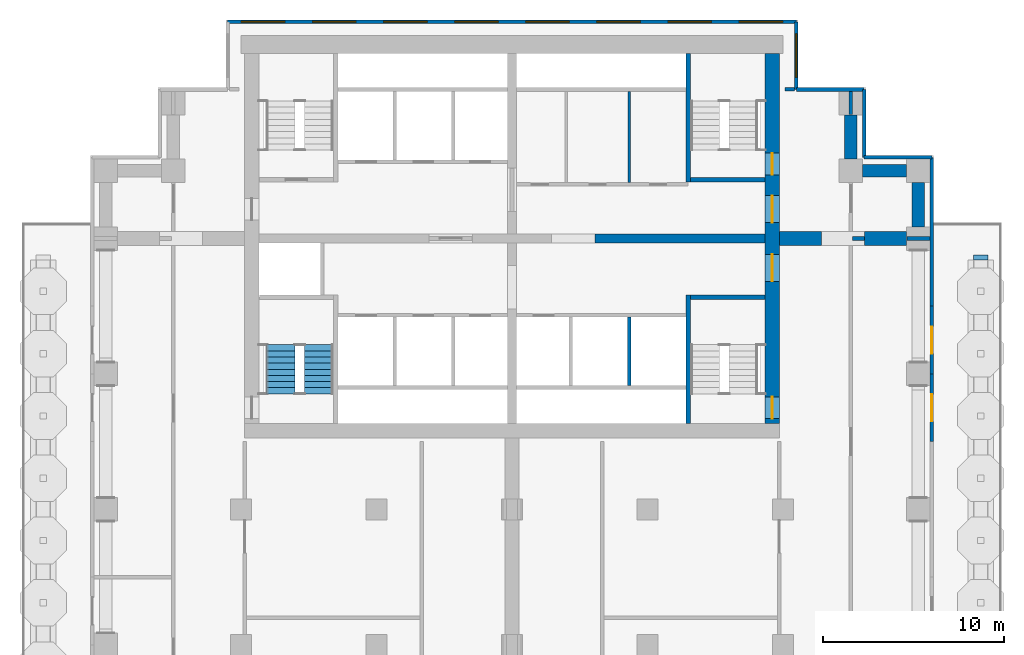
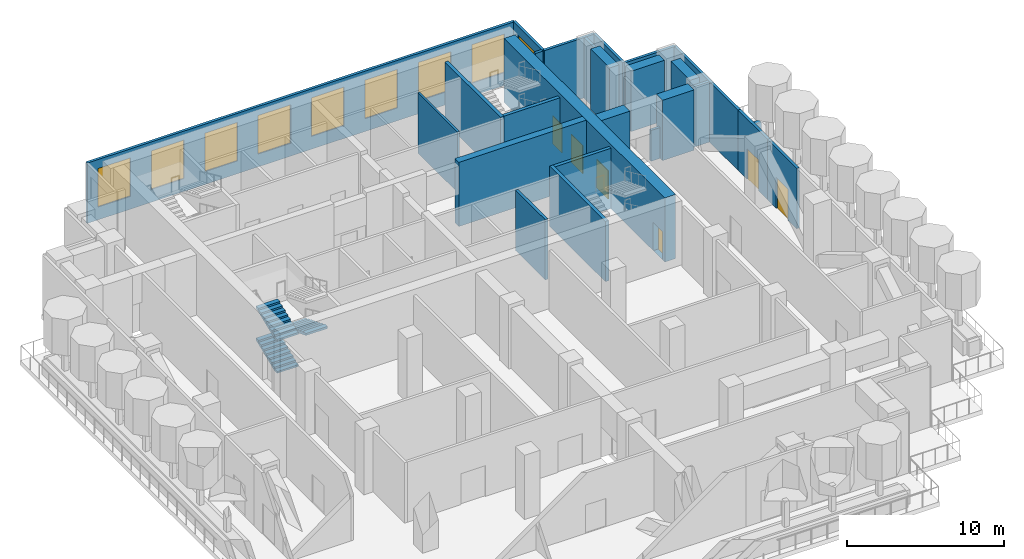
# One storey, part 5 of 9: 26 walls, 9 windows, 6 doors, 3 stair flights, 15 openings, 1 element without a shape of its own.
"""IFC4 building model written with IfcOpenShell, lengths in metres."""

from ifc_helpers import new_model, si_unit, direction, frame, frame_2d, origin, place, context, subcontext, project, spatial, polyline, rectangle, outline, extrude, material, layer, layer_set, type_object, element, fill, aggregate, save


model = new_model("IFC4")

# Units and contexts
model_context = context("Model", 3, precision=1e-05, world=origin(), true_north=direction((0.0, 1.0)))
body_context = subcontext(model_context, "Body", "Model", "MODEL_VIEW")
ifc_project = project(units=[si_unit("LENGTHUNIT", "METRE"), si_unit("AREAUNIT", "SQUARE_METRE"), si_unit("VOLUMEUNIT", "CUBIC_METRE"), si_unit("PLANEANGLEUNIT", "RADIAN"), si_unit("MASSUNIT", "GRAM", prefix="KILO")], contexts=[model_context])

# Site, building, storey
site_placement = place(None, origin())
site = spatial("IfcSite", under=ifc_project, at=site_placement, CompositionType="ELEMENT")
building_placement = place(site_placement, origin())
building = spatial("IfcBuilding", under=site, at=building_placement, Name="Pilkhan Gate Tower", CompositionType="ELEMENT")
storey_placement = place(building_placement, frame((0.0, 0.0, 102.199951171875)))
storey = spatial("IfcBuildingStorey", under=building, at=storey_placement, Name="L25", CompositionType="ELEMENT", Elevation=102.199951171875)

# Walls
ifc_material_1 = material(Name="Concrete C60/75", Category="concrete")
ifc_layer_1 = layer(ifc_material_1, 0.699951171875)
ifc_layer_set_1 = layer_set([ifc_layer_1], Name="Belt wall BW700 C60/75")
wall_type_1 = type_object("IfcWallType", Name="Belt wall BW700 C60/75", PredefinedType="SHEAR", material=ifc_layer_set_1)
for number, where, z_axis, x_axis, name in (
    (1, (93.75, 89.35009765625, 0.0), (0.0, 0.0, 1.0), (0.0, -1.0, 0.0), "Belt wall 12 L25"),
    (2, (94.39990234375, 86.25, 0.0), (0.0, 0.0, 1.0), (1.0, 0.0, 0.0), "Belt wall 13 L25"),
    (3, (97.5, 85.60009765625, 0.0), (0.0, 0.0, 1.0), (0.0, -1.0, 0.0), "Belt wall 14 L25"),
):
    element("IfcWall", number, at=place(storey_placement, frame(where, z_axis=z_axis, x_axis=x_axis)), inside=storey, type_object=wall_type_1, Name=name, PredefinedType="SHEAR", context=body_context, shape_type="SweptSolid", body=[
        extrude(rectangle(XDim=2.4501953125, YDim=0.699951171875, at=frame_2d((1.22509765625, 0.0))), origin(), (0.0, 0.0, 1.0), 4.699951171875),
    ])

# Wall, openings, doors
ifc_layer_2 = layer(ifc_material_1, 0.800048828125)
ifc_layer_set_2 = layer_set([ifc_layer_2], Name="Core wall CW800 C60/75")
wall_type_2 = type_object("IfcWallType", Name="Core wall CW800 C60/75", PredefinedType="SHEAR", material=ifc_layer_set_2)
wall_1_placement = place(storey_placement, frame((89.39990234375, 72.25, 0.0), z_axis=(0.0, 0.0, 1.0), x_axis=(0.0, 1.0, 0.0)))
wall_1 = element("IfcWall", 4, at=wall_1_placement, inside=storey, type_object=wall_type_2, Name="Core wall E L25", PredefinedType="SHEAR", context=body_context, shape_type="SweptSolid", body=[
    extrude(rectangle(XDim=20.5, YDim=0.800048828125, at=frame_2d((10.25, 0.0))), origin(), (0.0, 0.0, 1.0), 5.0),
])
opening_1_placement = place(wall_1_placement, frame((0.27490234375, 0.0, 0.0)))
opening_1 = element("IfcOpeningElement", 5, at=opening_1_placement, cuts=wall_1, Name="Opening L25-03", PredefinedType="OPENING", context=body_context, shape_type="SweptSolid", body=[
    extrude(rectangle(XDim=1.199951171875, YDim=2.199951171875, at=frame_2d((0.60009765625, 1.10009765625))), frame((0.0, 0.409912109375, 0.0), z_axis=(0.0, -1.0, 0.0), x_axis=(1.0, 0.0, 0.0)), (0.0, 0.0, 1.0), 0.820068359375),
])
opening_2_placement = place(wall_1_placement, frame((13.77490234375, 0.0, 0.0)))
opening_2 = element("IfcOpeningElement", 6, at=opening_2_placement, cuts=wall_1, Name="Opening L25-05", PredefinedType="OPENING", context=body_context, shape_type="SweptSolid", body=[
    extrude(rectangle(XDim=1.199951171875, YDim=2.199951171875, at=frame_2d((0.60009765625, 1.10009765625))), frame((0.0, 0.409912109375, 0.0), z_axis=(0.0, -1.0, 0.0), x_axis=(1.0, 0.0, 0.0)), (0.0, 0.0, 1.0), 0.820068359375),
])
opening_3_placement = place(wall_1_placement, frame((7.875, 0.0, 0.0)))
opening_3 = element("IfcOpeningElement", 7, at=opening_3_placement, cuts=wall_1, Name="Opening L25-15", PredefinedType="OPENING", context=body_context, shape_type="SweptSolid", body=[
    extrude(rectangle(XDim=1.5, YDim=2.199951171875, at=frame_2d((0.75, 1.10009765625))), frame((0.0, 0.409912109375, 0.0), z_axis=(0.0, -1.0, 0.0), x_axis=(1.0, 0.0, 0.0)), (0.0, 0.0, 1.0), 0.820068359375),
])
opening_4_placement = place(wall_1_placement, frame((11.125, 0.0, 0.0)))
opening_4 = element("IfcOpeningElement", 8, at=opening_4_placement, cuts=wall_1, Name="Opening L25-17", PredefinedType="OPENING", context=body_context, shape_type="SweptSolid", body=[
    extrude(rectangle(XDim=1.5, YDim=2.199951171875, at=frame_2d((0.75, 1.10009765625))), frame((0.0, 0.409912109375, 0.0), z_axis=(0.0, -1.0, 0.0), x_axis=(1.0, 0.0, 0.0)), (0.0, 0.0, 1.0), 0.820068359375),
])
ifc_material_2 = material(Name="Steel framed glazed door, 60 minute fire resisting", Category="steel")
door_type_1 = type_object("IfcDoorType", Name="Lobby door D09 1500x2200", OperationType="DOUBLE_DOOR_SINGLE_SWING", PredefinedType="DOOR", material=ifc_material_2)
door_1_placement = place(opening_3_placement, origin())
door_1 = element("IfcDoor", 9, at=door_1_placement, inside=storey, type_object=door_type_1, Name="Core door", OperationType="DOUBLE_DOOR_SINGLE_SWING", OverallHeight=2.199951171875, OverallWidth=1.5, PredefinedType="DOOR", context=body_context, shape_type="SweptSolid", body=[
    extrude(rectangle(XDim=1.5, YDim=2.199951171875, at=frame_2d((0.75, 1.10009765625))), frame((0.0, 0.02490234375, 0.0), z_axis=(0.0, -1.0, 0.0), x_axis=(1.0, 0.0, 0.0)), (0.0, 0.0, 1.0), 0.050048828125),
])
fill(opening_3, door_1)
door_2_placement = place(opening_4_placement, origin())
door_2 = element("IfcDoor", 10, at=door_2_placement, inside=storey, type_object=door_type_1, Name="Core door", OperationType="DOUBLE_DOOR_SINGLE_SWING", OverallHeight=2.199951171875, OverallWidth=1.5, PredefinedType="DOOR", context=body_context, shape_type="SweptSolid", body=[
    extrude(rectangle(XDim=1.5, YDim=2.199951171875, at=frame_2d((0.75, 1.10009765625))), frame((0.0, 0.02490234375, 0.0), z_axis=(0.0, -1.0, 0.0), x_axis=(1.0, 0.0, 0.0)), (0.0, 0.0, 1.0), 0.050048828125),
])
fill(opening_4, door_2)
ifc_material_3 = material(Name="Steel door, 120 minute fire resisting, panic bar", Category="steel")
door_type_2 = type_object("IfcDoorType", Name="Stair door D11 1200x2200", OperationType="SINGLE_SWING_LEFT", PredefinedType="DOOR", material=ifc_material_3)
door_3_placement = place(opening_1_placement, origin())
door_3 = element("IfcDoor", 11, at=door_3_placement, inside=storey, type_object=door_type_2, Name="Stair ST1 door", OperationType="SINGLE_SWING_RIGHT", OverallHeight=2.199951171875, OverallWidth=1.199951171875, PredefinedType="DOOR", context=body_context, shape_type="SweptSolid", body=[
    extrude(rectangle(XDim=1.199951171875, YDim=2.199951171875, at=frame_2d((0.60009765625, 1.10009765625))), frame((0.0, 0.02490234375, 0.0), z_axis=(0.0, -1.0, 0.0), x_axis=(1.0, 0.0, 0.0)), (0.0, 0.0, 1.0), 0.050048828125),
])
fill(opening_1, door_3)
door_4_placement = place(opening_2_placement, origin())
door_4 = element("IfcDoor", 12, at=door_4_placement, inside=storey, type_object=door_type_2, Name="Stair ST4 door", OperationType="SINGLE_SWING_LEFT", OverallHeight=2.199951171875, OverallWidth=1.199951171875, PredefinedType="DOOR", context=body_context, shape_type="SweptSolid", body=[
    extrude(rectangle(XDim=1.199951171875, YDim=2.199951171875, at=frame_2d((0.60009765625, 1.10009765625))), frame((0.0, 0.02490234375, 0.0), z_axis=(0.0, -1.0, 0.0), x_axis=(1.0, 0.0, 0.0)), (0.0, 0.0, 1.0), 0.050048828125),
])
fill(opening_2, door_4)

# Walls
ifc_material_4 = material(Name="Dense blockwork", Category="masonry")
ifc_layer_3 = layer(ifc_material_4, 0.199951171875)
ifc_layer_set_3 = layer_set([ifc_layer_3], Name="Corridor wall FW200")
wall_type_3 = type_object("IfcWallType", Name="Corridor wall FW200", PredefinedType="PARTITIONING", material=ifc_layer_set_3)
wall_2_placement = place(storey_placement, frame((90.1201171875, 90.764892578125, 0.0), z_axis=(0.0, 0.0, 1.0), x_axis=(1.0, 0.0, 0.0)))
element("IfcWall", 13, at=wall_2_placement, inside=storey, type_object=wall_type_3, Name="Partition L25", PredefinedType="PARTITIONING", context=body_context, shape_type="SweptSolid", body=[
    extrude(rectangle(XDim=0.52490234375, YDim=0.199951171875, at=frame_2d((0.262451171875, 0.0))), origin(), (0.0, 0.0, 1.0), 4.699951171875),
])
ifc_layer_4 = layer(ifc_material_4, 0.199951171875)
ifc_layer_set_4 = layer_set([ifc_layer_4], Name="Lobby wall LW200")
wall_type_4 = type_object("IfcWallType", Name="Lobby wall LW200", PredefinedType="PARTITIONING", material=ifc_layer_set_4)
wall_3_placement = place(storey_placement, frame((93.85009765625, 82.5, 0.0), z_axis=(0.0, 0.0, 1.0), x_axis=(1.0, 0.0, 0.0)))
element("IfcWall", 14, at=wall_3_placement, inside=storey, type_object=wall_type_4, Name="Partition L25", PredefinedType="PARTITIONING", context=body_context, shape_type="SweptSolid", body=[
    extrude(rectangle(XDim=0.664794921875, YDim=0.199951171875, at=frame_2d((0.33251953125, 0.0))), origin(), (0.0, 0.0, 1.0), 2.400146484375),
])
for number, where, z_axis, x_axis, name in (
    (15, (96.860107421875, 82.5, 0.0), (0.0, 0.0, 1.0), (1.0, 0.0, 0.0), "Partition L25"),
    (16, (93.75, 89.360107421875, 0.0), (0.0, 0.0, 1.0), (0.0, 1.0, 0.0), "Partition L25"),
):
    element("IfcWall", number, at=place(storey_placement, frame(where, z_axis=z_axis, x_axis=x_axis)), inside=storey, type_object=wall_type_4, Name=name, PredefinedType="PARTITIONING", context=body_context, shape_type="SweptSolid", body=[
        extrude(rectangle(XDim=1.27978515625, YDim=0.199951171875, at=frame_2d((0.639892578125, 0.0))), origin(), (0.0, 0.0, 1.0), 4.699951171875),
    ])
ifc_layer_5 = layer(ifc_material_1, 0.800048828125)
ifc_layer_set_5 = layer_set([ifc_layer_5], Name="Outrigger wall OW800 C60/75")
wall_type_5 = type_object("IfcWallType", Name="Outrigger wall OW800 C60/75", PredefinedType="SHEAR", material=ifc_layer_set_5)
wall_4_placement = place(storey_placement, frame((89.800048828125, 82.5, 0.0), z_axis=(0.0, 0.0, 1.0), x_axis=(1.0, 0.0, 0.0)))
element("IfcWall", 17, at=wall_4_placement, inside=storey, type_object=wall_type_5, Name="Outrigger wall 1 L25", PredefinedType="SHEAR", context=body_context, shape_type="SweptSolid", body=[
    extrude(rectangle(XDim=2.324951171875, YDim=0.800048828125, at=frame_2d((1.16259765625, 0.0))), origin(), (0.0, 0.0, 1.0), 4.699951171875),
])
wall_5_placement = place(storey_placement, frame((94.52490234375, 82.5, 0.0), z_axis=(0.0, 0.0, 1.0), x_axis=(1.0, 0.0, 0.0)))
element("IfcWall", 18, at=wall_5_placement, inside=storey, type_object=wall_type_5, Name="Outrigger wall 2 L25", PredefinedType="SHEAR", context=body_context, shape_type="SweptSolid", body=[
    extrude(rectangle(XDim=2.3251953125, YDim=0.800048828125, at=frame_2d((1.16259765625, 0.0))), origin(), (0.0, 0.0, 1.0), 4.699951171875),
])
ifc_material_5 = material(Name="Blockwork partition, plastered both sides", Category="masonry")
ifc_layer_6 = layer(ifc_material_5, 0.14990234375)
ifc_layer_set_6 = layer_set([ifc_layer_6], Name="Partition PW150")
wall_type_6 = type_object("IfcWallType", Name="Partition PW150", PredefinedType="PARTITIONING", material=ifc_layer_set_6)
wall_6_placement = place(storey_placement, frame((81.5, 85.60009765625, 0.0), z_axis=(0.0, 0.0, 1.0), x_axis=(0.0, 1.0, 0.0)))
element("IfcWall", 19, at=wall_6_placement, inside=storey, type_object=wall_type_6, Name="Partition L25", PredefinedType="PARTITIONING", context=body_context, shape_type="SweptSolid", body=[
    extrude(rectangle(XDim=5.0498046875, YDim=0.14990234375, at=frame_2d((2.52490234375, 0.0))), origin(), (0.0, 0.0, 1.0), 4.699951171875),
])

# Wall, opening, door
ifc_material_6 = material(Name="Pale anodised aluminium cladding", Category="aluminium")
ifc_layer_7 = layer(ifc_material_6, 0.199951171875)
ifc_layer_set_7 = layer_set([ifc_layer_7], Name="Plant screen wall PS200")
wall_type_7 = type_object("IfcWallType", Name="Plant screen wall PS200", PredefinedType="SOLIDWALL", material=ifc_layer_set_7)
wall_7_placement = place(storey_placement, frame((98.25, 75.0, 0.0), z_axis=(0.0, 0.0, 1.0), x_axis=(0.0, -1.0, 0.0)))
wall_7 = element("IfcWall", 20, at=wall_7_placement, inside=storey, type_object=wall_type_7, Name="Infill wall L25 E", PredefinedType="SOLIDWALL", context=body_context, shape_type="SweptSolid", body=[
    extrude(rectangle(XDim=3.75, YDim=0.199951171875, at=frame_2d((1.875, 0.0))), origin(), (0.0, 0.0, 1.0), 4.699951171875),
])
opening_5_placement = place(wall_7_placement, frame((1.125, 0.0, 0.0)))
opening_5 = element("IfcOpeningElement", 21, at=opening_5_placement, cuts=wall_7, Name="Opening D5", PredefinedType="OPENING", context=body_context, shape_type="SweptSolid", body=[
    extrude(rectangle(XDim=1.5, YDim=2.39990234375, at=frame_2d((0.75, 1.199951171875))), frame((0.0, 0.10986328125, 0.0), z_axis=(0.0, -1.0, 0.0), x_axis=(1.0, 0.0, 0.0)), (0.0, 0.0, 1.0), 0.219970703125),
])
ifc_material_7 = material(Name="Pale anodised aluminium, clear glazing", Category="aluminium")
door_type_3 = type_object("IfcDoorType", Name="Terrace door D5 1500x2400", OperationType="DOUBLE_DOOR_SINGLE_SWING", PredefinedType="DOOR", material=ifc_material_7)
door_5_placement = place(opening_5_placement, origin())
door_5 = element("IfcDoor", 22, at=door_5_placement, inside=storey, type_object=door_type_3, Name="Terrace door L25", OperationType="DOUBLE_DOOR_SINGLE_SWING", OverallHeight=2.39990234375, OverallWidth=1.5, PredefinedType="DOOR", context=body_context, shape_type="SweptSolid", body=[
    extrude(rectangle(XDim=1.5, YDim=2.39990234375, at=frame_2d((0.75, 1.199951171875))), frame((0.0, 0.02490234375, 0.0), z_axis=(0.0, -1.0, 0.0), x_axis=(1.0, 0.0, 0.0)), (0.0, 0.0, 1.0), 0.050048828125),
])
fill(opening_5, door_5)

wall_8_placement = place(storey_placement, frame((98.25, 78.75, 0.0), z_axis=(0.0, 0.0, 1.0), x_axis=(0.0, -1.0, 0.0)))
wall_8 = element("IfcWall", 23, at=wall_8_placement, inside=storey, type_object=wall_type_7, Name="Infill wall L25 E", PredefinedType="SOLIDWALL", context=body_context, shape_type="SweptSolid", body=[
    extrude(rectangle(XDim=3.75, YDim=0.199951171875, at=frame_2d((1.875, 0.0))), origin(), (0.0, 0.0, 1.0), 4.699951171875),
])
opening_6_placement = place(wall_8_placement, frame((1.125, 0.0, 0.0)))
opening_6 = element("IfcOpeningElement", 24, at=opening_6_placement, cuts=wall_8, Name="Opening D5", PredefinedType="OPENING", context=body_context, shape_type="SweptSolid", body=[
    extrude(rectangle(XDim=1.5, YDim=2.39990234375, at=frame_2d((0.75, 1.199951171875))), frame((0.0, 0.10986328125, 0.0), z_axis=(0.0, -1.0, 0.0), x_axis=(1.0, 0.0, 0.0)), (0.0, 0.0, 1.0), 0.219970703125),
])
door_6_placement = place(opening_6_placement, origin())
door_6 = element("IfcDoor", 25, at=door_6_placement, inside=storey, type_object=door_type_3, Name="Terrace door L25", OperationType="DOUBLE_DOOR_SINGLE_SWING", OverallHeight=2.39990234375, OverallWidth=1.5, PredefinedType="DOOR", context=body_context, shape_type="SweptSolid", body=[
    extrude(rectangle(XDim=1.5, YDim=2.39990234375, at=frame_2d((0.75, 1.199951171875))), frame((0.0, 0.02490234375, 0.0), z_axis=(0.0, -1.0, 0.0), x_axis=(1.0, 0.0, 0.0)), (0.0, 0.0, 1.0), 0.050048828125),
])
fill(opening_6, door_6)

# Walls
wall_9_placement = place(storey_placement, frame((98.25, 78.75, 0.0), z_axis=(0.0, 0.0, 1.0), x_axis=(0.0, 1.0, 0.0)))
element("IfcWall", 26, at=wall_9_placement, inside=storey, type_object=wall_type_7, Name="Plant screen wall L25 E", PredefinedType="SOLIDWALL", context=body_context, shape_type="SweptSolid", body=[
    extrude(rectangle(XDim=8.25, YDim=0.199951171875, at=frame_2d((4.125, 0.0))), origin(), (0.0, 0.0, 1.0), 4.699951171875),
])
for number, where, z_axis, x_axis, name in (
    (27, (94.5, 87.0, 0.0), (0.0, 0.0, 1.0), (1.0, 0.0, 0.0), "Plant screen wall L25 N"),
    (28, (94.5, 87.0, 0.0), (0.0, 0.0, 1.0), (0.0, 1.0, 0.0), "Plant screen wall L25 E"),
    (29, (90.75, 90.75, 0.0), (0.0, 0.0, 1.0), (1.0, 0.0, 0.0), "Plant screen wall L25 N"),
):
    element("IfcWall", number, at=place(storey_placement, frame(where, z_axis=z_axis, x_axis=x_axis)), inside=storey, type_object=wall_type_7, Name=name, PredefinedType="SOLIDWALL", context=body_context, shape_type="SweptSolid", body=[
        extrude(rectangle(XDim=3.75, YDim=0.199951171875, at=frame_2d((1.875, 0.0))), origin(), (0.0, 0.0, 1.0), 4.699951171875),
    ])

# Wall, opening, window
wall_10_placement = place(storey_placement, frame((90.75, 90.75, 0.0), z_axis=(0.0, 0.0, 1.0), x_axis=(0.0, 1.0, 0.0)))
wall_10 = element("IfcWall", 30, at=wall_10_placement, inside=storey, type_object=wall_type_7, Name="Plant screen wall L25 E", PredefinedType="SOLIDWALL", context=body_context, shape_type="SweptSolid", body=[
    extrude(rectangle(XDim=3.75, YDim=0.199951171875, at=frame_2d((1.875, 0.0))), origin(), (0.0, 0.0, 1.0), 4.699951171875),
])
opening_7_placement = place(wall_10_placement, frame((0.675048828125, 0.0, 1.0)))
opening_7 = element("IfcOpeningElement", 31, at=opening_7_placement, cuts=wall_10, Name="Opening WL1", PredefinedType="OPENING", context=body_context, shape_type="SweptSolid", body=[
    extrude(rectangle(XDim=2.39990234375, YDim=3.0, at=frame_2d((1.199951171875, 1.5))), frame((0.0, 0.10986328125, 0.0), z_axis=(0.0, -1.0, 0.0), x_axis=(1.0, 0.0, 0.0)), (0.0, 0.0, 1.0), 0.219970703125),
])
ifc_material_8 = material(Name="Pale anodised aluminium storm louvre, bird mesh", Category="aluminium")
window_type = type_object("IfcWindowType", Name="Plant louvre WL1 2400x3000", PartitioningType="SINGLE_PANEL", PredefinedType="USERDEFINED", material=ifc_material_8)
window_1_placement = place(opening_7_placement, origin())
window_1 = element("IfcWindow", 32, at=window_1_placement, inside=storey, type_object=window_type, Name="Louvre L25", ObjectType="LOUVRE", OverallHeight=3.0, OverallWidth=2.39990234375, PartitioningType="SINGLE_PANEL", PredefinedType="USERDEFINED", context=body_context, shape_type="SweptSolid", body=[
    extrude(rectangle(XDim=2.39990234375, YDim=3.0, at=frame_2d((1.199951171875, 1.5))), frame((0.0, 0.030029296875, 0.0), z_axis=(0.0, -1.0, 0.0), x_axis=(1.0, 0.0, 0.0)), (0.0, 0.0, 1.0), 0.06005859375),
])
fill(opening_7, window_1)

# Wall, openings, windows
wall_11_placement = place(storey_placement, frame((59.25, 94.5, 0.0), z_axis=(0.0, 0.0, 1.0), x_axis=(1.0, 0.0, 0.0)))
wall_11 = element("IfcWall", 33, at=wall_11_placement, inside=storey, type_object=wall_type_7, Name="Plant screen wall L25 N", PredefinedType="SOLIDWALL", context=body_context, shape_type="SweptSolid", body=[
    extrude(rectangle(XDim=31.5, YDim=0.199951171875, at=frame_2d((15.75, 0.0))), origin(), (0.0, 0.0, 1.0), 4.699951171875),
])
opening_8_placement = place(wall_11_placement, frame((0.768798828125, 0.0, 1.0)))
opening_8 = element("IfcOpeningElement", 34, at=opening_8_placement, cuts=wall_11, Name="Opening WL1", PredefinedType="OPENING", context=body_context, shape_type="SweptSolid", body=[
    extrude(rectangle(XDim=2.39990234375, YDim=3.0, at=frame_2d((1.199951171875, 1.5))), frame((0.0, 0.10986328125, 0.0), z_axis=(0.0, -1.0, 0.0), x_axis=(1.0, 0.0, 0.0)), (0.0, 0.0, 1.0), 0.219970703125),
])
opening_9_placement = place(wall_11_placement, frame((4.706298828125, 0.0, 1.0)))
opening_9 = element("IfcOpeningElement", 35, at=opening_9_placement, cuts=wall_11, Name="Opening WL1", PredefinedType="OPENING", context=body_context, shape_type="SweptSolid", body=[
    extrude(rectangle(XDim=2.39990234375, YDim=3.0, at=frame_2d((1.199951171875, 1.5))), frame((0.0, 0.10986328125, 0.0), z_axis=(0.0, -1.0, 0.0), x_axis=(1.0, 0.0, 0.0)), (0.0, 0.0, 1.0), 0.219970703125),
])
opening_10_placement = place(wall_11_placement, frame((8.643798828125, 0.0, 1.0)))
opening_10 = element("IfcOpeningElement", 36, at=opening_10_placement, cuts=wall_11, Name="Opening WL1", PredefinedType="OPENING", context=body_context, shape_type="SweptSolid", body=[
    extrude(rectangle(XDim=2.39990234375, YDim=3.0, at=frame_2d((1.199951171875, 1.5))), frame((0.0, 0.10986328125, 0.0), z_axis=(0.0, -1.0, 0.0), x_axis=(1.0, 0.0, 0.0)), (0.0, 0.0, 1.0), 0.219970703125),
])
opening_11_placement = place(wall_11_placement, frame((12.581298828125, 0.0, 1.0)))
opening_11 = element("IfcOpeningElement", 37, at=opening_11_placement, cuts=wall_11, Name="Opening WL1", PredefinedType="OPENING", context=body_context, shape_type="SweptSolid", body=[
    extrude(rectangle(XDim=2.39990234375, YDim=3.0, at=frame_2d((1.199951171875, 1.5))), frame((0.0, 0.10986328125, 0.0), z_axis=(0.0, -1.0, 0.0), x_axis=(1.0, 0.0, 0.0)), (0.0, 0.0, 1.0), 0.219970703125),
])
opening_12_placement = place(wall_11_placement, frame((16.518798828125, 0.0, 1.0)))
opening_12 = element("IfcOpeningElement", 38, at=opening_12_placement, cuts=wall_11, Name="Opening WL1", PredefinedType="OPENING", context=body_context, shape_type="SweptSolid", body=[
    extrude(rectangle(XDim=2.39990234375, YDim=3.0, at=frame_2d((1.199951171875, 1.5))), frame((0.0, 0.10986328125, 0.0), z_axis=(0.0, -1.0, 0.0), x_axis=(1.0, 0.0, 0.0)), (0.0, 0.0, 1.0), 0.219970703125),
])
opening_13_placement = place(wall_11_placement, frame((20.456298828125, 0.0, 1.0)))
opening_13 = element("IfcOpeningElement", 39, at=opening_13_placement, cuts=wall_11, Name="Opening WL1", PredefinedType="OPENING", context=body_context, shape_type="SweptSolid", body=[
    extrude(rectangle(XDim=2.39990234375, YDim=3.0, at=frame_2d((1.199951171875, 1.5))), frame((0.0, 0.10986328125, 0.0), z_axis=(0.0, -1.0, 0.0), x_axis=(1.0, 0.0, 0.0)), (0.0, 0.0, 1.0), 0.219970703125),
])
opening_14_placement = place(wall_11_placement, frame((24.393798828125, 0.0, 1.0)))
opening_14 = element("IfcOpeningElement", 40, at=opening_14_placement, cuts=wall_11, Name="Opening WL1", PredefinedType="OPENING", context=body_context, shape_type="SweptSolid", body=[
    extrude(rectangle(XDim=2.39990234375, YDim=3.0, at=frame_2d((1.199951171875, 1.5))), frame((0.0, 0.10986328125, 0.0), z_axis=(0.0, -1.0, 0.0), x_axis=(1.0, 0.0, 0.0)), (0.0, 0.0, 1.0), 0.219970703125),
])
opening_15_placement = place(wall_11_placement, frame((28.331298828125, 0.0, 1.0)))
opening_15 = element("IfcOpeningElement", 41, at=opening_15_placement, cuts=wall_11, Name="Opening WL1", PredefinedType="OPENING", context=body_context, shape_type="SweptSolid", body=[
    extrude(rectangle(XDim=2.39990234375, YDim=3.0, at=frame_2d((1.199951171875, 1.5))), frame((0.0, 0.10986328125, 0.0), z_axis=(0.0, -1.0, 0.0), x_axis=(1.0, 0.0, 0.0)), (0.0, 0.0, 1.0), 0.219970703125),
])
window_2_placement = place(opening_8_placement, origin())
window_2 = element("IfcWindow", 42, at=window_2_placement, inside=storey, type_object=window_type, Name="Louvre L25", ObjectType="LOUVRE", OverallHeight=3.0, OverallWidth=2.39990234375, PartitioningType="SINGLE_PANEL", PredefinedType="USERDEFINED", context=body_context, shape_type="SweptSolid", body=[
    extrude(rectangle(XDim=2.39990234375, YDim=3.0, at=frame_2d((1.199951171875, 1.5))), frame((0.0, 0.030029296875, 0.0), z_axis=(0.0, -1.0, 0.0), x_axis=(1.0, 0.0, 0.0)), (0.0, 0.0, 1.0), 0.06005859375),
])
fill(opening_8, window_2)
window_3_placement = place(opening_9_placement, origin())
window_3 = element("IfcWindow", 43, at=window_3_placement, inside=storey, type_object=window_type, Name="Louvre L25", ObjectType="LOUVRE", OverallHeight=3.0, OverallWidth=2.39990234375, PartitioningType="SINGLE_PANEL", PredefinedType="USERDEFINED", context=body_context, shape_type="SweptSolid", body=[
    extrude(rectangle(XDim=2.39990234375, YDim=3.0, at=frame_2d((1.199951171875, 1.5))), frame((0.0, 0.030029296875, 0.0), z_axis=(0.0, -1.0, 0.0), x_axis=(1.0, 0.0, 0.0)), (0.0, 0.0, 1.0), 0.06005859375),
])
fill(opening_9, window_3)
window_4_placement = place(opening_10_placement, origin())
window_4 = element("IfcWindow", 44, at=window_4_placement, inside=storey, type_object=window_type, Name="Louvre L25", ObjectType="LOUVRE", OverallHeight=3.0, OverallWidth=2.39990234375, PartitioningType="SINGLE_PANEL", PredefinedType="USERDEFINED", context=body_context, shape_type="SweptSolid", body=[
    extrude(rectangle(XDim=2.39990234375, YDim=3.0, at=frame_2d((1.199951171875, 1.5))), frame((0.0, 0.030029296875, 0.0), z_axis=(0.0, -1.0, 0.0), x_axis=(1.0, 0.0, 0.0)), (0.0, 0.0, 1.0), 0.06005859375),
])
fill(opening_10, window_4)
window_5_placement = place(opening_11_placement, origin())
window_5 = element("IfcWindow", 45, at=window_5_placement, inside=storey, type_object=window_type, Name="Louvre L25", ObjectType="LOUVRE", OverallHeight=3.0, OverallWidth=2.39990234375, PartitioningType="SINGLE_PANEL", PredefinedType="USERDEFINED", context=body_context, shape_type="SweptSolid", body=[
    extrude(rectangle(XDim=2.39990234375, YDim=3.0, at=frame_2d((1.199951171875, 1.5))), frame((0.0, 0.030029296875, 0.0), z_axis=(0.0, -1.0, 0.0), x_axis=(1.0, 0.0, 0.0)), (0.0, 0.0, 1.0), 0.06005859375),
])
fill(opening_11, window_5)
window_6_placement = place(opening_12_placement, origin())
window_6 = element("IfcWindow", 46, at=window_6_placement, inside=storey, type_object=window_type, Name="Louvre L25", ObjectType="LOUVRE", OverallHeight=3.0, OverallWidth=2.39990234375, PartitioningType="SINGLE_PANEL", PredefinedType="USERDEFINED", context=body_context, shape_type="SweptSolid", body=[
    extrude(rectangle(XDim=2.39990234375, YDim=3.0, at=frame_2d((1.199951171875, 1.5))), frame((0.0, 0.030029296875, 0.0), z_axis=(0.0, -1.0, 0.0), x_axis=(1.0, 0.0, 0.0)), (0.0, 0.0, 1.0), 0.06005859375),
])
fill(opening_12, window_6)
window_7_placement = place(opening_13_placement, origin())
window_7 = element("IfcWindow", 47, at=window_7_placement, inside=storey, type_object=window_type, Name="Louvre L25", ObjectType="LOUVRE", OverallHeight=3.0, OverallWidth=2.39990234375, PartitioningType="SINGLE_PANEL", PredefinedType="USERDEFINED", context=body_context, shape_type="SweptSolid", body=[
    extrude(rectangle(XDim=2.39990234375, YDim=3.0, at=frame_2d((1.199951171875, 1.5))), frame((0.0, 0.030029296875, 0.0), z_axis=(0.0, -1.0, 0.0), x_axis=(1.0, 0.0, 0.0)), (0.0, 0.0, 1.0), 0.06005859375),
])
fill(opening_13, window_7)
window_8_placement = place(opening_14_placement, origin())
window_8 = element("IfcWindow", 48, at=window_8_placement, inside=storey, type_object=window_type, Name="Louvre L25", ObjectType="LOUVRE", OverallHeight=3.0, OverallWidth=2.39990234375, PartitioningType="SINGLE_PANEL", PredefinedType="USERDEFINED", context=body_context, shape_type="SweptSolid", body=[
    extrude(rectangle(XDim=2.39990234375, YDim=3.0, at=frame_2d((1.199951171875, 1.5))), frame((0.0, 0.030029296875, 0.0), z_axis=(0.0, -1.0, 0.0), x_axis=(1.0, 0.0, 0.0)), (0.0, 0.0, 1.0), 0.06005859375),
])
fill(opening_14, window_8)
window_9_placement = place(opening_15_placement, origin())
window_9 = element("IfcWindow", 49, at=window_9_placement, inside=storey, type_object=window_type, Name="Louvre L25", ObjectType="LOUVRE", OverallHeight=3.0, OverallWidth=2.39990234375, PartitioningType="SINGLE_PANEL", PredefinedType="USERDEFINED", context=body_context, shape_type="SweptSolid", body=[
    extrude(rectangle(XDim=2.39990234375, YDim=3.0, at=frame_2d((1.199951171875, 1.5))), frame((0.0, 0.030029296875, 0.0), z_axis=(0.0, -1.0, 0.0), x_axis=(1.0, 0.0, 0.0)), (0.0, 0.0, 1.0), 0.06005859375),
])
fill(opening_15, window_9)

# Walls
ifc_material_9 = material(Name="Reinforced blockwork shaft wall, 120 minute fire resisting", Category="masonry")
ifc_layer_8 = layer(ifc_material_9, 0.199951171875)
ifc_layer_set_8 = layer_set([ifc_layer_8], Name="Shaft wall SW200")
wall_type_8 = type_object("IfcWallType", Name="Shaft wall SW200", PredefinedType="PARTITIONING", material=ifc_layer_set_8)
wall_12_placement = place(storey_placement, frame((81.5, 74.35009765625, 0.0), z_axis=(0.0, 0.0, 1.0), x_axis=(0.0, 1.0, 0.0)))
element("IfcWall", 50, at=wall_12_placement, inside=storey, type_object=wall_type_8, Name="Partition L25", PredefinedType="PARTITIONING", context=body_context, shape_type="SweptSolid", body=[
    extrude(rectangle(XDim=3.7998046875, YDim=0.199951171875, at=frame_2d((1.89990234375, 0.0))), origin(), (0.0, 0.0, 1.0), 4.699951171875),
])
ifc_layer_9 = layer(ifc_material_1, 0.5)
ifc_layer_set_9 = layer_set([ifc_layer_9], Name="Spine wall SW500 C60/75")
wall_type_9 = type_object("IfcWallType", Name="Spine wall SW500 C60/75", PredefinedType="SHEAR", material=ifc_layer_set_9)
wall_13_placement = place(storey_placement, frame((79.60009765625, 82.5, 0.0), z_axis=(0.0, 0.0, 1.0), x_axis=(1.0, 0.0, 0.0)))
element("IfcWall", 51, at=wall_13_placement, inside=storey, type_object=wall_type_9, Name="Spine wall SP-EW3 L25", PredefinedType="SHEAR", context=body_context, shape_type="SweptSolid", body=[
    extrude(rectangle(XDim=9.39990234375, YDim=0.5, at=frame_2d((4.699951171875, 0.0))), origin(), (0.0, 0.0, 1.0), 5.0),
])
ifc_material_10 = material(Name="Reinforced blockwork, 120 minute fire resisting", Category="masonry")
ifc_layer_10 = layer(ifc_material_10, 0.25)
ifc_layer_set_10 = layer_set([ifc_layer_10], Name="Stair enclosure wall SE250")
wall_type_10 = type_object("IfcWallType", Name="Stair enclosure wall SE250", PredefinedType="PARTITIONING", material=ifc_layer_set_10)
for number, where, z_axis, x_axis, name in (
    (52, (84.875, 79.25, 0.0), (0.0, 0.0, 1.0), (1.0, 0.0, 0.0), "Partition L25"),
    (53, (84.875, 85.75, 0.0), (0.0, 0.0, 1.0), (1.0, 0.0, 0.0), "Partition L25"),
):
    element("IfcWall", number, at=place(storey_placement, frame(where, z_axis=z_axis, x_axis=x_axis)), inside=storey, type_object=wall_type_10, Name=name, PredefinedType="PARTITIONING", context=body_context, shape_type="SweptSolid", body=[
        extrude(rectangle(XDim=4.125, YDim=0.25, at=frame_2d((2.0625, 0.0))), origin(), (0.0, 0.0, 1.0), 4.699951171875),
    ])
wall_14_placement = place(storey_placement, frame((84.75, 72.25, 0.0), z_axis=(0.0, 0.0, 1.0), x_axis=(0.0, 1.0, 0.0)))
element("IfcWall", 54, at=wall_14_placement, inside=storey, type_object=wall_type_10, Name="Partition L25", PredefinedType="PARTITIONING", context=body_context, shape_type="SweptSolid", body=[
    extrude(rectangle(XDim=7.125, YDim=0.25, at=frame_2d((3.5625, 0.0))), origin(), (0.0, 0.0, 1.0), 4.699951171875),
])
wall_15_placement = place(storey_placement, frame((84.75, 85.625, 0.0), z_axis=(0.0, 0.0, 1.0), x_axis=(0.0, 1.0, 0.0)))
element("IfcWall", 55, at=wall_15_placement, inside=storey, type_object=wall_type_10, Name="Partition L25", PredefinedType="PARTITIONING", context=body_context, shape_type="SweptSolid", body=[
    extrude(rectangle(XDim=7.114990234375, YDim=0.25, at=frame_2d((3.5576171875, 0.0))), origin(), (0.0, 0.0, 1.0), 4.699951171875),
])
ifc_material_11 = material(Name="Concrete C40/50", Category="concrete")
ifc_layer_11 = layer(ifc_material_11, 0.300048828125)
ifc_layer_set_11 = layer_set([ifc_layer_11], Name="Terrace planter TP800")
wall_type_11 = type_object("IfcWallType", Name="Terrace planter TP800", PredefinedType="USERDEFINED", material=ifc_layer_set_11)
wall_16_placement = place(storey_placement, frame((100.550048828125, 81.449951171875, 0.0), z_axis=(0.0, 0.0, 1.0), x_axis=(1.0, 0.0, 0.0)))
element("IfcWall", 56, at=wall_16_placement, inside=storey, type_object=wall_type_11, Name="Terrace planter L25", ObjectType="TERRACE PLANTER", PredefinedType="USERDEFINED", context=body_context, shape_type="SweptSolid", body=[
    extrude(rectangle(XDim=0.800048828125, YDim=0.300048828125, at=frame_2d((0.39990234375, 0.0))), origin(), (0.0, 0.0, 1.0), 1.10009765625),
])

# Stair, stair flights
ifc_material_12 = material(Name="Concrete C40/50 precast", Category="concrete")
stair_type = type_object("IfcStairType", Name="Stair ST2 139x340", PredefinedType="HALF_TURN_STAIR", material=ifc_material_12)
stair_placement = place(storey_placement, origin())
stair = element("IfcStair", 57, at=stair_placement, inside=storey, type_object=stair_type, Name="Stair ST2 L25", PredefinedType="HALF_TURN_STAIR")
stair_flight_type = type_object("IfcStairFlightType", Name="Stair flight ST2 139x340x9", PredefinedType="STRAIGHT", material=ifc_material_12)
stair_flight_1_placement = place(storey_placement, frame((62.18994140625, 73.89990234375, 0.0), z_axis=(0.0, 0.0, 1.0), x_axis=(0.0, 1.0, 0.0)))
stair_flight_1 = element("IfcStairFlight", 58, at=stair_flight_1_placement, type_object=stair_flight_type, Name="ST2 flight 1", NumberOfRisers=9, NumberOfTreads=8, PredefinedType="STRAIGHT", RiserHeight=0.138888889, TreadLength=0.34, context=body_context, shape_type="SweptSolid", body=[
    extrude(outline(polyline([(0.0, 0.0), (0.0, 0.138916015625), (0.340087890625, 0.138916015625), (0.340087890625, 0.27783203125), (0.679931640625, 0.27783203125), (0.679931640625, 0.416748046875), (1.02001953125, 0.416748046875), (1.02001953125, 0.5556640625), (1.360107421875, 0.5556640625), (1.360107421875, 0.6943359375), (1.699951171875, 0.6943359375), (1.699951171875, 0.833251953125), (2.0400390625, 0.833251953125), (2.0400390625, 0.97216796875), (2.3798828125, 0.97216796875), (2.3798828125, 1.111083984375), (2.719970703125, 1.111083984375), (2.719970703125, 1.25), (2.719970703125, 0.94921875), (0.396484375, 0.0), (0.0, 0.0)])), frame((0.0, 0.7900390625, 0.0), z_axis=(0.0, -1.0, 0.0), x_axis=(1.0, 0.0, 0.0)), (0.0, 0.0, 1.0), 1.580078125),
])
stair_flight_2_placement = place(storey_placement, frame((64.31005859375, 76.6201171875, 1.25), z_axis=(0.0, 0.0, 1.0), x_axis=(0.0, -1.0, 0.0)))
stair_flight_2 = element("IfcStairFlight", 59, at=stair_flight_2_placement, type_object=stair_flight_type, Name="ST2 flight 2", NumberOfRisers=9, NumberOfTreads=8, PredefinedType="STRAIGHT", RiserHeight=0.138888889, TreadLength=0.34, context=body_context, shape_type="SweptSolid", body=[
    extrude(outline(polyline([(0.0, 0.0), (0.0, 0.138916015625), (0.340087890625, 0.138916015625), (0.340087890625, 0.27783203125), (0.679931640625, 0.27783203125), (0.679931640625, 0.416748046875), (1.02001953125, 0.416748046875), (1.02001953125, 0.5556640625), (1.360107421875, 0.5556640625), (1.360107421875, 0.6943359375), (1.699951171875, 0.6943359375), (1.699951171875, 0.833251953125), (2.0400390625, 0.833251953125), (2.0400390625, 0.97216796875), (2.3798828125, 0.97216796875), (2.3798828125, 1.111083984375), (2.719970703125, 1.111083984375), (2.719970703125, 1.25), (2.719970703125, 0.94921875), (0.396484375, 0.0), (0.0, 0.0)])), frame((0.0, 0.7900390625, 0.0), z_axis=(0.0, -1.0, 0.0), x_axis=(1.0, 0.0, 0.0)), (0.0, 0.0, 1.0), 1.580078125),
])
stair_flight_3_placement = place(storey_placement, frame((62.18994140625, 73.89990234375, 2.5), z_axis=(0.0, 0.0, 1.0), x_axis=(0.0, 1.0, 0.0)))
stair_flight_3 = element("IfcStairFlight", 60, at=stair_flight_3_placement, type_object=stair_flight_type, Name="ST2 flight 3", NumberOfRisers=9, NumberOfTreads=8, PredefinedType="STRAIGHT", RiserHeight=0.138888889, TreadLength=0.34, context=body_context, shape_type="SweptSolid", body=[
    extrude(outline(polyline([(0.0, 0.0), (0.0, 0.138916015625), (0.340087890625, 0.138916015625), (0.340087890625, 0.27783203125), (0.679931640625, 0.27783203125), (0.679931640625, 0.416748046875), (1.02001953125, 0.416748046875), (1.02001953125, 0.5556640625), (1.360107421875, 0.5556640625), (1.360107421875, 0.6943359375), (1.699951171875, 0.6943359375), (1.699951171875, 0.833251953125), (2.0400390625, 0.833251953125), (2.0400390625, 0.97216796875), (2.3798828125, 0.97216796875), (2.3798828125, 1.111083984375), (2.719970703125, 1.111083984375), (2.719970703125, 1.25), (2.719970703125, 0.94921875), (0.396484375, 0.0), (0.0, 0.0)])), frame((0.0, 0.7900390625, 0.0), z_axis=(0.0, -1.0, 0.0), x_axis=(1.0, 0.0, 0.0)), (0.0, 0.0, 1.0), 1.580078125),
])
aggregate(stair, [stair_flight_1, stair_flight_2, stair_flight_3])

save(model, "model.ifc")
